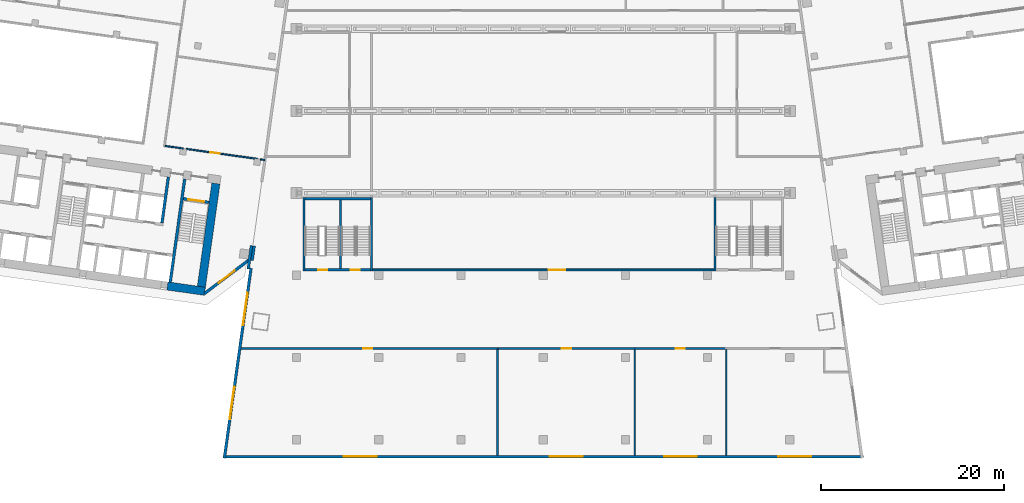
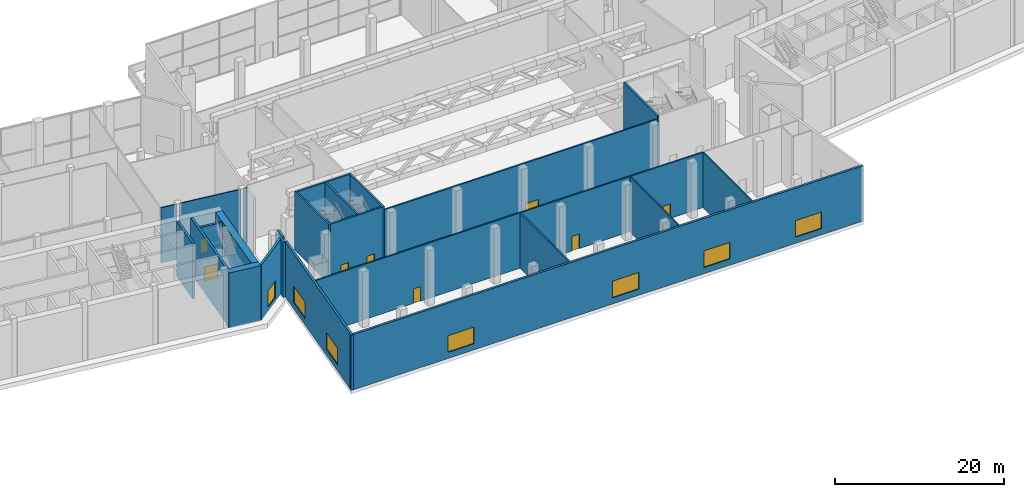
# One storey, part 20 of 31: 25 walls, 8 doors, 7 windows, 15 openings.
"""IFC4 building model written with IfcOpenShell, lengths in metres."""

from ifc_helpers import new_model, si_unit, direction, frame, frame_2d, origin, place, context, subcontext, project, spatial, rectangle, extrude, material, layer, layer_set, type_object, element, fill, save


model = new_model("IFC4")

# Units and contexts
model_context = context("Model", 3, precision=1e-05, world=origin(), true_north=direction((0.0, 1.0)))
body_context = subcontext(model_context, "Body", "Model", "MODEL_VIEW")
ifc_project = project(units=[si_unit("LENGTHUNIT", "METRE"), si_unit("AREAUNIT", "SQUARE_METRE"), si_unit("VOLUMEUNIT", "CUBIC_METRE"), si_unit("PLANEANGLEUNIT", "RADIAN"), si_unit("MASSUNIT", "GRAM", prefix="KILO")], contexts=[model_context])

# Site, building, storey
site_placement = place(None, origin())
site = spatial("IfcSite", under=ifc_project, at=site_placement, CompositionType="ELEMENT")
building_placement = place(site_placement, origin())
building = spatial("IfcBuilding", under=site, at=building_placement, Name="Mirante Cascada Hotel Towers", CompositionType="ELEMENT")
storey_placement = place(building_placement, frame((0.0, 0.0, 9.0)))
storey = spatial("IfcBuildingStorey", under=building, at=storey_placement, Name="L01", CompositionType="ELEMENT", Elevation=9.0)

# Wall
ifc_material_1 = material(Name="Masonry block", Category="masonry")
ifc_layer_1 = layer(ifc_material_1, 0.15)
ifc_layer_set_1 = layer_set([ifc_layer_1], Name="Corridor wall 150 block")
wall_type_1 = type_object("IfcWallType", Name="Corridor wall 150 block", PredefinedType="PARTITIONING", material=ifc_layer_set_1)
wall_1_placement = place(storey_placement, frame((-41.4008, -3.8311, 0.0), z_axis=(0.0, 0.0, 1.0), x_axis=(0.9902711, -0.1391512, 0.0)))
element("IfcWall", 1, at=wall_1_placement, inside=storey, type_object=wall_type_1, Name="Corridor wall T1 L01", PredefinedType="PARTITIONING", context=body_context, shape_type="SweptSolid", body=[
    extrude(rectangle(XDim=2.0108, YDim=0.15, at=frame_2d((1.0054, 0.0))), origin(), (0.0, 0.0, 1.0), 8.0),
])

# Wall, opening, door
wall_2_placement = place(storey_placement, frame((-39.0843, -4.1567, 0.0), z_axis=(0.0, 0.0, 1.0), x_axis=(0.9902676, -0.1391764, 0.0)))
wall_2 = element("IfcWall", 2, at=wall_2_placement, inside=storey, type_object=wall_type_1, Name="Corridor wall T1 L01", PredefinedType="PARTITIONING", context=body_context, shape_type="SweptSolid", body=[
    extrude(rectangle(XDim=7.8713, YDim=0.15, at=frame_2d((3.9356, 0.0))), origin(), (0.0, 0.0, 1.0), 8.0),
])
opening_1_placement = place(wall_2_placement, frame((2.6782, 0.0, 0.0)))
opening_1 = element("IfcOpeningElement", 3, at=opening_1_placement, cuts=wall_2, Name="Opening DP1-L01-01", PredefinedType="OPENING", context=body_context, shape_type="SweptSolid", body=[
    extrude(rectangle(XDim=1.0, YDim=2.1, at=frame_2d((0.5, 1.05))), frame((0.0, 0.075, 0.0), z_axis=(0.0, -1.0, 0.0), x_axis=(1.0, 0.0, 0.0)), (0.0, 0.0, 1.0), 0.15),
])
ifc_material_2 = material(Name="Timber door leaf", Category="wood")
door_type_1 = type_object("IfcDoorType", Name="Single door 1000x2100", OperationType="NOTDEFINED", PredefinedType="DOOR", material=ifc_material_2)
door_1_placement = place(opening_1_placement, frame((1.0, 0.0, 0.0), z_axis=(0.0, 0.0, 1.0), x_axis=(-1.0, 0.0, 0.0)))
door_1 = element("IfcDoor", 4, at=door_1_placement, inside=storey, type_object=door_type_1, Name="Door DP1-L01-01", OperationType="SINGLE_SWING_LEFT", OverallHeight=2.1, OverallWidth=1.0, PredefinedType="DOOR", context=body_context, shape_type="SweptSolid", body=[
    extrude(rectangle(XDim=1.0, YDim=2.1, at=frame_2d((0.5, 1.05))), frame((0.0, 0.025, 0.0), z_axis=(0.0, -1.0, 0.0), x_axis=(1.0, 0.0, 0.0)), (0.0, 0.0, 1.0), 0.05),
])
fill(opening_1, door_1)

# Wall
wall_3_placement = place(storey_placement, frame((-30.9641, -5.2979, 0.0), z_axis=(0.0, 0.0, 1.0), x_axis=(0.9902657, -0.1391899, 0.0)))
element("IfcWall", 5, at=wall_3_placement, inside=storey, type_object=wall_type_1, Name="Corridor wall T1 L01", PredefinedType="PARTITIONING", context=body_context, shape_type="SweptSolid", body=[
    extrude(rectangle(XDim=0.4957, YDim=0.15, at=frame_2d((0.2478, 0.0))), origin(), (0.0, 0.0, 1.0), 8.0),
])

# Wall, openings, doors
ifc_material_3 = material(Name="Masonry block", Category="masonry")
ifc_layer_2 = layer(ifc_material_3, 0.2)
ifc_layer_set_2 = layer_set([ifc_layer_2], Name="Hall wall 200 block")
wall_type_2 = type_object("IfcWallType", Name="Hall wall 200 block", PredefinedType="PARTITIONING", material=ifc_layer_set_2)
wall_4_placement = place(storey_placement, frame((-4.9185, -26.0, 0.0), z_axis=(0.0, 0.0, 1.0), x_axis=(1.0, 0.0, 0.0)))
wall_4 = element("IfcWall", 6, at=wall_4_placement, inside=storey, type_object=wall_type_2, Name="Hall wall P L01", PredefinedType="PARTITIONING", context=body_context, shape_type="SweptSolid", body=[
    extrude(rectangle(XDim=24.8875, YDim=0.2, at=frame_2d((12.4438, 0.0))), origin(), (0.0, 0.0, 1.0), 8.0),
])
opening_2_placement = place(wall_4_placement, frame((6.9677, 0.0, 0.0)))
opening_2 = element("IfcOpeningElement", 7, at=opening_2_placement, cuts=wall_4, Name="Opening DP-L01-10", PredefinedType="OPENING", context=body_context, shape_type="SweptSolid", body=[
    extrude(rectangle(XDim=1.0, YDim=2.1, at=frame_2d((0.5, 1.05))), frame((0.0, 0.1, 0.0), z_axis=(0.0, -1.0, 0.0), x_axis=(1.0, 0.0, 0.0)), (0.0, 0.0, 1.0), 0.2),
])
opening_3_placement = place(wall_4_placement, frame((19.4115, 0.0, 0.0)))
opening_3 = element("IfcOpeningElement", 8, at=opening_3_placement, cuts=wall_4, Name="Opening DP-L01-11", PredefinedType="OPENING", context=body_context, shape_type="SweptSolid", body=[
    extrude(rectangle(XDim=1.0, YDim=2.1, at=frame_2d((0.5, 1.05))), frame((0.0, 0.1, 0.0), z_axis=(0.0, -1.0, 0.0), x_axis=(1.0, 0.0, 0.0)), (0.0, 0.0, 1.0), 0.2),
])
door_2_placement = place(opening_2_placement, frame((1.0, 0.0, 0.0), z_axis=(0.0, 0.0, 1.0), x_axis=(-1.0, 0.0, 0.0)))
door_2 = element("IfcDoor", 9, at=door_2_placement, inside=storey, type_object=door_type_1, Name="Door DP-L01-10", OperationType="SINGLE_SWING_RIGHT", OverallHeight=2.1, OverallWidth=1.0, PredefinedType="DOOR", context=body_context, shape_type="SweptSolid", body=[
    extrude(rectangle(XDim=1.0, YDim=2.1, at=frame_2d((0.5, 1.05))), frame((0.0, 0.025, 0.0), z_axis=(0.0, -1.0, 0.0), x_axis=(1.0, 0.0, 0.0)), (0.0, 0.0, 1.0), 0.05),
])
fill(opening_2, door_2)
door_3_placement = place(opening_3_placement, frame((1.0, 0.0, 0.0), z_axis=(0.0, 0.0, 1.0), x_axis=(-1.0, 0.0, 0.0)))
door_3 = element("IfcDoor", 10, at=door_3_placement, inside=storey, type_object=door_type_1, Name="Door DP-L01-11", OperationType="SINGLE_SWING_LEFT", OverallHeight=2.1, OverallWidth=1.0, PredefinedType="DOOR", context=body_context, shape_type="SweptSolid", body=[
    extrude(rectangle(XDim=1.0, YDim=2.1, at=frame_2d((0.5, 1.05))), frame((0.0, 0.025, 0.0), z_axis=(0.0, -1.0, 0.0), x_axis=(1.0, 0.0, 0.0)), (0.0, 0.0, 1.0), 0.05),
])
fill(opening_3, door_3)

# Wall, opening, door
wall_5_placement = place(storey_placement, frame((-18.685, -17.4, 0.0), z_axis=(0.0, 0.0, 1.0), x_axis=(1.0, 0.0, 0.0)))
wall_5 = element("IfcWall", 11, at=wall_5_placement, inside=storey, type_object=wall_type_2, Name="Hall wall P L01", PredefinedType="PARTITIONING", context=body_context, shape_type="SweptSolid", body=[
    extrude(rectangle(XDim=37.37, YDim=0.2, at=frame_2d((18.685, 0.0))), origin(), (0.0, 0.0, 1.0), 8.0),
])
opening_4_placement = place(wall_5_placement, frame((19.285, 0.0, 0.0)))
opening_4 = element("IfcOpeningElement", 12, at=opening_4_placement, cuts=wall_5, Name="Opening DP-L01-05", PredefinedType="OPENING", context=body_context, shape_type="SweptSolid", body=[
    extrude(rectangle(XDim=1.8, YDim=2.1, at=frame_2d((0.9, 1.05))), frame((0.0, 0.1, 0.0), z_axis=(0.0, -1.0, 0.0), x_axis=(1.0, 0.0, 0.0)), (0.0, 0.0, 1.0), 0.2),
])
ifc_material_4 = material(Name="Timber door leaf", Category="wood")
door_type_2 = type_object("IfcDoorType", Name="Double door 1800x2100", OperationType="DOUBLE_DOOR_SINGLE_SWING", PredefinedType="DOOR", material=ifc_material_4)
door_4_placement = place(opening_4_placement, origin())
door_4 = element("IfcDoor", 13, at=door_4_placement, inside=storey, type_object=door_type_2, Name="Door DP-L01-05", OperationType="DOUBLE_DOOR_SINGLE_SWING", OverallHeight=2.1, OverallWidth=1.8, PredefinedType="DOOR", context=body_context, shape_type="SweptSolid", body=[
    extrude(rectangle(XDim=0.895, YDim=2.1, at=frame_2d((0.4475, 1.05))), frame((0.0, 0.025, 0.0), z_axis=(0.0, -1.0, 0.0), x_axis=(1.0, 0.0, 0.0)), (0.0, 0.0, 1.0), 0.05),
    extrude(rectangle(XDim=0.895, YDim=2.1, at=frame_2d((1.3525, 1.05))), frame((0.0, 0.025, 0.0), z_axis=(0.0, -1.0, 0.0), x_axis=(1.0, 0.0, 0.0)), (0.0, 0.0, 1.0), 0.05),
])
fill(opening_4, door_4)

ifc_material_5 = material(Name="Masonry block", Category="masonry")
ifc_layer_3 = layer(ifc_material_5, 0.2)
ifc_layer_set_3 = layer_set([ifc_layer_3], Name="Kitchen wall 200 block EI 120")
wall_type_3 = type_object("IfcWallType", Name="Kitchen wall 200 block EI 120", PredefinedType="PARTITIONING", material=ifc_layer_set_3)
wall_6_placement = place(storey_placement, frame((-33.0701, -26.0, 0.0), z_axis=(0.0, 0.0, 1.0), x_axis=(1.0, 0.0, 0.0)))
wall_6 = element("IfcWall", 14, at=wall_6_placement, inside=storey, type_object=wall_type_3, Name="Kitchen wall P L01", PredefinedType="PARTITIONING", context=body_context, shape_type="SweptSolid", body=[
    extrude(rectangle(XDim=28.1716, YDim=0.2, at=frame_2d((14.0858, 0.0))), origin(), (0.0, 0.0, 1.0), 8.0),
])
opening_5_placement = place(wall_6_placement, frame((13.3793, 0.0, 0.0)))
opening_5 = element("IfcOpeningElement", 15, at=opening_5_placement, cuts=wall_6, Name="Opening DP-L01-09", PredefinedType="OPENING", context=body_context, shape_type="SweptSolid", body=[
    extrude(rectangle(XDim=1.0, YDim=2.1, at=frame_2d((0.5, 1.05))), frame((0.0, 0.1, 0.0), z_axis=(0.0, -1.0, 0.0), x_axis=(1.0, 0.0, 0.0)), (0.0, 0.0, 1.0), 0.2),
])
ifc_material_6 = material(Name="Hollow metal fire door leaf")
door_type_3 = type_object("IfcDoorType", Name="Fire door 1000x2100 FD60", OperationType="NOTDEFINED", PredefinedType="DOOR", material=ifc_material_6)
door_5_placement = place(opening_5_placement, frame((1.0, 0.0, 0.0), z_axis=(0.0, 0.0, 1.0), x_axis=(-1.0, 0.0, 0.0)))
door_5 = element("IfcDoor", 16, at=door_5_placement, inside=storey, type_object=door_type_3, Name="Door DP-L01-09", OperationType="SINGLE_SWING_LEFT", OverallHeight=2.1, OverallWidth=1.0, PredefinedType="DOOR", context=body_context, shape_type="SweptSolid", body=[
    extrude(rectangle(XDim=1.0, YDim=2.1, at=frame_2d((0.5, 1.05))), frame((0.0, 0.025, 0.0), z_axis=(0.0, -1.0, 0.0), x_axis=(1.0, 0.0, 0.0)), (0.0, 0.0, 1.0), 0.05),
])
fill(opening_5, door_5)

# Walls
wall_7_placement = place(storey_placement, frame((-5.0085, -37.7, 0.0), z_axis=(0.0, 0.0, 1.0), x_axis=(0.0, 1.0, 0.0)))
element("IfcWall", 17, at=wall_7_placement, inside=storey, type_object=wall_type_3, Name="Kitchen wall P L01", PredefinedType="PARTITIONING", context=body_context, shape_type="SweptSolid", body=[
    extrude(rectangle(XDim=11.6, YDim=0.2, at=frame_2d((5.8, 0.0))), origin(), (0.0, 0.0, 1.0), 8.0),
])
ifc_material_7 = material(Name="Masonry block", Category="masonry")
ifc_layer_4 = layer(ifc_material_7, 0.15)
ifc_layer_set_4 = layer_set([ifc_layer_4], Name="Partition 150 block")
wall_type_4 = type_object("IfcWallType", Name="Partition 150 block", PredefinedType="PARTITIONING", material=ifc_layer_set_4)
wall_8_placement = place(storey_placement, frame((10.017, -37.7, 0.0), z_axis=(0.0, 0.0, 1.0), x_axis=(0.0, 1.0, 0.0)))
element("IfcWall", 18, at=wall_8_placement, inside=storey, type_object=wall_type_4, Name="Partition P L01", PredefinedType="PARTITIONING", context=body_context, shape_type="SweptSolid", body=[
    extrude(rectangle(XDim=11.6, YDim=0.15, at=frame_2d((5.8, 0.0))), origin(), (0.0, 0.0, 1.0), 8.0),
])

# Wall, opening, window
ifc_material_8 = material(Name="Precast concrete C40/50", Category="concrete")
ifc_layer_5 = layer(ifc_material_8, 0.3)
ifc_layer_set_5 = layer_set([ifc_layer_5], Name="Precast concrete C40/50 cladding wall 300")
wall_type_5 = type_object("IfcWallType", Name="Precast concrete C40/50 cladding wall 300", PredefinedType="STANDARD", material=ifc_layer_set_5)
wall_9_placement = place(storey_placement, frame((-32.2074, -16.3138, 0.0), z_axis=(0.0, 0.0, 1.0), x_axis=(-0.7986362, -0.6018141, 0.0)))
wall_9 = element("IfcWall", 19, at=wall_9_placement, inside=storey, type_object=wall_type_5, Name="Corner cladding wall T1 L01 inner rear", PredefinedType="STANDARD", context=body_context, shape_type="SweptSolid", body=[
    extrude(rectangle(XDim=6.1157, YDim=0.3, at=frame_2d((3.0578, 0.0))), origin(), (0.0, 0.0, 1.0), 8.0),
])
opening_6_placement = place(wall_9_placement, frame((1.9578, 0.0, 0.6)))
opening_6 = element("IfcOpeningElement", 20, at=opening_6_placement, cuts=wall_9, Name="Opening W1-01-05", PredefinedType="OPENING", context=body_context, shape_type="SweptSolid", body=[
    extrude(rectangle(XDim=2.2, YDim=2.4, at=frame_2d((1.1, 1.2))), frame((0.0, 0.15, 0.0), z_axis=(0.0, -1.0, 0.0), x_axis=(1.0, 0.0, 0.0)), (0.0, 0.0, 1.0), 0.3),
])
ifc_material_9 = material(Name="Aluminium frame with clear double glazing", Category="aluminium")
window_type_1 = type_object("IfcWindowType", Name="Corner suite window 2200x2400", PartitioningType="DOUBLE_PANEL_VERTICAL", PredefinedType="WINDOW", material=ifc_material_9)
window_1_placement = place(opening_6_placement, origin())
window_1 = element("IfcWindow", 21, at=window_1_placement, inside=storey, type_object=window_type_1, Name="Window W1-01-05", OverallHeight=2.4, OverallWidth=2.2, PartitioningType="SINGLE_PANEL", PredefinedType="WINDOW", context=body_context, shape_type="SweptSolid", body=[
    extrude(rectangle(XDim=2.2, YDim=2.4, at=frame_2d((1.1, 1.2))), frame((0.0, 0.03, 0.0), z_axis=(0.0, -1.0, 0.0), x_axis=(1.0, 0.0, 0.0)), (0.0, 0.0, 1.0), 0.06),
])
fill(opening_6, window_1)

# Wall, openings, windows
wall_10_placement = place(storey_placement, frame((-35.0595, -37.85, 0.0), z_axis=(0.0, 0.0, 1.0), x_axis=(1.0, 0.0, 0.0)))
wall_10 = element("IfcWall", 22, at=wall_10_placement, inside=storey, type_object=wall_type_5, Name="Podium cladding wall L01 P:L01:1", PredefinedType="STANDARD", context=body_context, shape_type="SweptSolid", body=[
    extrude(rectangle(XDim=70.119, YDim=0.3, at=frame_2d((35.0595, 0.0))), origin(), (0.0, 0.0, 1.0), 8.0),
])
opening_7_placement = place(wall_10_placement, frame((13.2255, 0.0, 0.9)))
opening_7 = element("IfcOpeningElement", 23, at=opening_7_placement, cuts=wall_10, Name="Opening WP-01-01", PredefinedType="OPENING", context=body_context, shape_type="SweptSolid", body=[
    extrude(rectangle(XDim=3.6, YDim=2.4, at=frame_2d((1.8, 1.2))), frame((0.0, 0.15, 0.0), z_axis=(0.0, -1.0, 0.0), x_axis=(1.0, 0.0, 0.0)), (0.0, 0.0, 1.0), 0.3),
])
opening_8_placement = place(wall_10_placement, frame((35.7637, 0.0, 0.9)))
opening_8 = element("IfcOpeningElement", 24, at=opening_8_placement, cuts=wall_10, Name="Opening WP-01-02", PredefinedType="OPENING", context=body_context, shape_type="SweptSolid", body=[
    extrude(rectangle(XDim=3.6, YDim=2.4, at=frame_2d((1.8, 1.2))), frame((0.0, 0.15, 0.0), z_axis=(0.0, -1.0, 0.0), x_axis=(1.0, 0.0, 0.0)), (0.0, 0.0, 1.0), 0.3),
])
opening_9_placement = place(wall_10_placement, frame((48.285, 0.0, 0.9)))
opening_9 = element("IfcOpeningElement", 25, at=opening_9_placement, cuts=wall_10, Name="Opening WP-01-03", PredefinedType="OPENING", context=body_context, shape_type="SweptSolid", body=[
    extrude(rectangle(XDim=3.6, YDim=2.4, at=frame_2d((1.8, 1.2))), frame((0.0, 0.15, 0.0), z_axis=(0.0, -1.0, 0.0), x_axis=(1.0, 0.0, 0.0)), (0.0, 0.0, 1.0), 0.3),
])
opening_10_placement = place(wall_10_placement, frame((60.8062, 0.0, 0.9)))
opening_10 = element("IfcOpeningElement", 26, at=opening_10_placement, cuts=wall_10, Name="Opening WP-01-04", PredefinedType="OPENING", context=body_context, shape_type="SweptSolid", body=[
    extrude(rectangle(XDim=3.6, YDim=2.4, at=frame_2d((1.8, 1.2))), frame((0.0, 0.15, 0.0), z_axis=(0.0, -1.0, 0.0), x_axis=(1.0, 0.0, 0.0)), (0.0, 0.0, 1.0), 0.3),
])
ifc_material_10 = material(Name="Aluminium frame with clear double glazing", Category="aluminium")
window_type_2 = type_object("IfcWindowType", Name="Podium punched window 3600x2400", PartitioningType="DOUBLE_PANEL_VERTICAL", PredefinedType="WINDOW", material=ifc_material_10)
window_2_placement = place(opening_7_placement, origin())
window_2 = element("IfcWindow", 27, at=window_2_placement, inside=storey, type_object=window_type_2, Name="Window WP-01-01", OverallHeight=2.4, OverallWidth=3.6, PartitioningType="SINGLE_PANEL", PredefinedType="WINDOW", context=body_context, shape_type="SweptSolid", body=[
    extrude(rectangle(XDim=3.6, YDim=2.4, at=frame_2d((1.8, 1.2))), frame((0.0, 0.03, 0.0), z_axis=(0.0, -1.0, 0.0), x_axis=(1.0, 0.0, 0.0)), (0.0, 0.0, 1.0), 0.06),
])
fill(opening_7, window_2)
window_3_placement = place(opening_8_placement, origin())
window_3 = element("IfcWindow", 28, at=window_3_placement, inside=storey, type_object=window_type_2, Name="Window WP-01-02", OverallHeight=2.4, OverallWidth=3.6, PartitioningType="SINGLE_PANEL", PredefinedType="WINDOW", context=body_context, shape_type="SweptSolid", body=[
    extrude(rectangle(XDim=3.6, YDim=2.4, at=frame_2d((1.8, 1.2))), frame((0.0, 0.03, 0.0), z_axis=(0.0, -1.0, 0.0), x_axis=(1.0, 0.0, 0.0)), (0.0, 0.0, 1.0), 0.06),
])
fill(opening_8, window_3)
window_4_placement = place(opening_9_placement, origin())
window_4 = element("IfcWindow", 29, at=window_4_placement, inside=storey, type_object=window_type_2, Name="Window WP-01-03", OverallHeight=2.4, OverallWidth=3.6, PartitioningType="SINGLE_PANEL", PredefinedType="WINDOW", context=body_context, shape_type="SweptSolid", body=[
    extrude(rectangle(XDim=3.6, YDim=2.4, at=frame_2d((1.8, 1.2))), frame((0.0, 0.03, 0.0), z_axis=(0.0, -1.0, 0.0), x_axis=(1.0, 0.0, 0.0)), (0.0, 0.0, 1.0), 0.06),
])
fill(opening_9, window_4)
window_5_placement = place(opening_10_placement, origin())
window_5 = element("IfcWindow", 30, at=window_5_placement, inside=storey, type_object=window_type_2, Name="Window WP-01-04", OverallHeight=2.4, OverallWidth=3.6, PartitioningType="SINGLE_PANEL", PredefinedType="WINDOW", context=body_context, shape_type="SweptSolid", body=[
    extrude(rectangle(XDim=3.6, YDim=2.4, at=frame_2d((1.8, 1.2))), frame((0.0, 0.03, 0.0), z_axis=(0.0, -1.0, 0.0), x_axis=(1.0, 0.0, 0.0)), (0.0, 0.0, 1.0), 0.06),
])
fill(opening_10, window_5)

wall_11_placement = place(storey_placement, frame((-31.9876, -17.2201, 0.0), z_axis=(0.0, 0.0, 1.0), x_axis=(-0.1391749, -0.9902678, 0.0)))
wall_11 = element("IfcWall", 31, at=wall_11_placement, inside=storey, type_object=wall_type_5, Name="Podium cladding wall L01 P:L01:6", PredefinedType="STANDARD", context=body_context, shape_type="SweptSolid", body=[
    extrude(rectangle(XDim=21.0052, YDim=0.3, at=frame_2d((10.5026, 0.0))), origin(), (0.0, 0.0, 1.0), 8.0),
])
opening_11_placement = place(wall_11_placement, frame((2.6994, 0.0, 0.9)))
opening_11 = element("IfcOpeningElement", 32, at=opening_11_placement, cuts=wall_11, Name="Opening WP-01-09", PredefinedType="OPENING", context=body_context, shape_type="SweptSolid", body=[
    extrude(rectangle(XDim=3.6, YDim=2.4, at=frame_2d((1.8, 1.2))), frame((0.0, 0.15, 0.0), z_axis=(0.0, -1.0, 0.0), x_axis=(1.0, 0.0, 0.0)), (0.0, 0.0, 1.0), 0.3),
])
opening_12_placement = place(wall_11_placement, frame((13.1006, 0.0, 0.9)))
opening_12 = element("IfcOpeningElement", 33, at=opening_12_placement, cuts=wall_11, Name="Opening WP-01-10", PredefinedType="OPENING", context=body_context, shape_type="SweptSolid", body=[
    extrude(rectangle(XDim=3.6, YDim=2.4, at=frame_2d((1.8, 1.2))), frame((0.0, 0.15, 0.0), z_axis=(0.0, -1.0, 0.0), x_axis=(1.0, 0.0, 0.0)), (0.0, 0.0, 1.0), 0.3),
])
window_6_placement = place(opening_11_placement, origin())
window_6 = element("IfcWindow", 34, at=window_6_placement, inside=storey, type_object=window_type_2, Name="Window WP-01-09", OverallHeight=2.4, OverallWidth=3.6, PartitioningType="SINGLE_PANEL", PredefinedType="WINDOW", context=body_context, shape_type="SweptSolid", body=[
    extrude(rectangle(XDim=3.6, YDim=2.4, at=frame_2d((1.8, 1.2))), frame((0.0, 0.03, 0.0), z_axis=(0.0, -1.0, 0.0), x_axis=(1.0, 0.0, 0.0)), (0.0, 0.0, 1.0), 0.06),
])
fill(opening_11, window_6)
window_7_placement = place(opening_12_placement, origin())
window_7 = element("IfcWindow", 35, at=window_7_placement, inside=storey, type_object=window_type_2, Name="Window WP-01-10", OverallHeight=2.4, OverallWidth=3.6, PartitioningType="SINGLE_PANEL", PredefinedType="WINDOW", context=body_context, shape_type="SweptSolid", body=[
    extrude(rectangle(XDim=3.6, YDim=2.4, at=frame_2d((1.8, 1.2))), frame((0.0, 0.03, 0.0), z_axis=(0.0, -1.0, 0.0), x_axis=(1.0, 0.0, 0.0)), (0.0, 0.0, 1.0), 0.06),
])
fill(opening_12, window_7)

# Walls
wall_12_placement = place(storey_placement, frame((-32.3027, -17.3071, 0.0), z_axis=(0.0, 0.0, 1.0), x_axis=(0.1391652, 0.9902692, 0.0)))
element("IfcWall", 36, at=wall_12_placement, inside=storey, type_object=wall_type_5, Name="Corner closure wall L01 1.1", PredefinedType="STANDARD", context=body_context, shape_type="SweptSolid", body=[
    extrude(rectangle(XDim=2.5818, YDim=0.3, at=frame_2d((1.2909, 0.0))), origin(), (0.0, 0.0, 1.0), 8.0),
])
wall_13_placement = place(storey_placement, frame((-31.6463, -14.7921, 0.0), z_axis=(0.0, 0.0, 1.0), x_axis=(-0.1392118, -0.9902626, 0.0)))
element("IfcWall", 37, at=wall_13_placement, inside=storey, type_object=wall_type_5, Name="Corner closure wall L01 3.1", PredefinedType="STANDARD", context=body_context, shape_type="SweptSolid", body=[
    extrude(rectangle(XDim=1.6033, YDim=0.3, at=frame_2d((0.8016, 0.0))), origin(), (0.0, 0.0, 1.0), 8.0),
])
ifc_material_11 = material(Name="Concrete C50/60", Category="concrete")
ifc_layer_6 = layer(ifc_material_11, 0.3)
ifc_layer_set_6 = layer_set([ifc_layer_6], Name="RC core wall 300 C50/60")
wall_type_6 = type_object("IfcWallType", Name="RC core wall 300 C50/60", PredefinedType="SHEAR", material=ifc_layer_set_6)
wall_14_placement = place(storey_placement, frame((-40.8373, -18.7548, 0.0), z_axis=(0.0, 0.0, 1.0), x_axis=(0.1391749, 0.9902678, 0.0)))
element("IfcWall", 38, at=wall_14_placement, inside=storey, type_object=wall_type_6, Name="Core wall T1:L01:5", PredefinedType="SHEAR", context=body_context, shape_type="SweptSolid", body=[
    extrude(rectangle(XDim=11.4, YDim=0.3, at=frame_2d((5.7, 0.0))), origin(), (0.0, 0.0, 1.0), 8.0),
])

# Wall, opening, door
wall_15_placement = place(storey_placement, frame((-36.5791, -10.0123, 0.0), z_axis=(0.0, 0.0, 1.0), x_axis=(-0.9902704, 0.1391564, 0.0)))
wall_15 = element("IfcWall", 39, at=wall_15_placement, inside=storey, type_object=wall_type_6, Name="Core wall T1:L01:9", PredefinedType="SHEAR", context=body_context, shape_type="SweptSolid", body=[
    extrude(rectangle(XDim=2.85, YDim=0.3, at=frame_2d((1.425, 0.0))), origin(), (0.0, 0.0, 1.0), 8.0),
])
opening_13_placement = place(wall_15_placement, frame((0.525, 0.0, 0.0)))
opening_13 = element("IfcOpeningElement", 40, at=opening_13_placement, cuts=wall_15, Name="Opening D1-01-C16", PredefinedType="OPENING", context=body_context, shape_type="SweptSolid", body=[
    extrude(rectangle(XDim=1.8, YDim=2.1, at=frame_2d((0.9, 1.05))), frame((0.0, 0.15, 0.0), z_axis=(0.0, -1.0, 0.0), x_axis=(1.0, 0.0, 0.0)), (0.0, 0.0, 1.0), 0.3),
])
ifc_material_12 = material(Name="Hollow metal fire door leaf")
door_type_4 = type_object("IfcDoorType", Name="Double fire door 1800x2100 FD60", OperationType="DOUBLE_DOOR_SINGLE_SWING", PredefinedType="DOOR", material=ifc_material_12)
door_6_placement = place(opening_13_placement, origin())
door_6 = element("IfcDoor", 41, at=door_6_placement, inside=storey, type_object=door_type_4, Name="Stair door T1 L01 16", OperationType="DOUBLE_DOOR_SINGLE_SWING", OverallHeight=2.1, OverallWidth=1.8, PredefinedType="DOOR", context=body_context, shape_type="SweptSolid", body=[
    extrude(rectangle(XDim=0.895, YDim=2.1, at=frame_2d((0.4475, 1.05))), frame((0.0, 0.025, 0.0), z_axis=(0.0, -1.0, 0.0), x_axis=(1.0, 0.0, 0.0)), (0.0, 0.0, 1.0), 0.05),
    extrude(rectangle(XDim=0.895, YDim=2.1, at=frame_2d((1.3525, 1.05))), frame((0.0, 0.025, 0.0), z_axis=(0.0, -1.0, 0.0), x_axis=(1.0, 0.0, 0.0)), (0.0, 0.0, 1.0), 0.05),
])
fill(opening_13, door_6)

# Walls
wall_16_placement = place(storey_placement, frame((-41.743, -12.2656, 0.0), z_axis=(0.0, 0.0, 1.0), x_axis=(0.1391755, 0.9902677, 0.0)))
element("IfcWall", 42, at=wall_16_placement, inside=storey, type_object=wall_type_6, Name="Core wall T1:L01:20", PredefinedType="SHEAR", context=body_context, shape_type="SweptSolid", body=[
    extrude(rectangle(XDim=5.1, YDim=0.3, at=frame_2d((2.55, 0.0))), origin(), (0.0, 0.0, 1.0), 8.0),
])
ifc_material_13 = material(Name="Concrete C50/60", Category="concrete")
ifc_layer_7 = layer(ifc_material_13, 0.9)
ifc_layer_set_7 = layer_set([ifc_layer_7], Name="RC core wall 900 C50/60")
wall_type_7 = type_object("IfcWallType", Name="RC core wall 900 C50/60", PredefinedType="SHEAR", material=ifc_layer_set_7)
wall_17_placement = place(storey_placement, frame((-37.0379, -19.7432, 0.0), z_axis=(0.0, 0.0, 1.0), x_axis=(-0.990267, 0.139181, 0.0)))
element("IfcWall", 43, at=wall_17_placement, inside=storey, type_object=wall_type_7, Name="Core wall T1:L01:1.1", PredefinedType="SHEAR", context=body_context, shape_type="SweptSolid", body=[
    extrude(rectangle(XDim=4.15, YDim=0.9, at=frame_2d((2.075, 0.0))), origin(), (0.0, 0.0, 1.0), 8.0),
])
wall_18_placement = place(storey_placement, frame((-37.4209, -19.2349, 0.0), z_axis=(0.0, 0.0, 1.0), x_axis=(0.1391761, 0.9902677, 0.0)))
element("IfcWall", 44, at=wall_18_placement, inside=storey, type_object=wall_type_7, Name="Core wall T1:L01:3", PredefinedType="SHEAR", context=body_context, shape_type="SweptSolid", body=[
    extrude(rectangle(XDim=11.3999, YDim=0.9, at=frame_2d((5.7, 0.0))), origin(), (0.0, 0.0, 1.0), 8.0),
])

# Wall, openings, doors
ifc_material_14 = material(Name="Concrete C35/45", Category="concrete")
ifc_layer_8 = layer(ifc_material_14, 0.25)
ifc_layer_set_8 = layer_set([ifc_layer_8], Name="Stair wall 250 concrete C35/45 EI 120")
wall_type_8 = type_object("IfcWallType", Name="Stair wall 250 concrete C35/45 EI 120", PredefinedType="STANDARD", material=ifc_layer_set_8)
wall_19_placement = place(storey_placement, frame((-26.085, -17.4, 0.0), z_axis=(0.0, 0.0, 1.0), x_axis=(1.0, 0.0, 0.0)))
wall_19 = element("IfcWall", 45, at=wall_19_placement, inside=storey, type_object=wall_type_8, Name="Stair wall P L01", PredefinedType="STANDARD", context=body_context, shape_type="SweptSolid", body=[
    extrude(rectangle(XDim=7.17, YDim=0.25, at=frame_2d((3.585, 0.0))), origin(), (0.0, 0.0, 1.0), 8.5),
])
opening_14_placement = place(wall_19_placement, frame((5.0275, 0.0, 0.0)))
opening_14 = element("IfcOpeningElement", 46, at=opening_14_placement, cuts=wall_19, Name="Opening DP-L01-01", PredefinedType="OPENING", context=body_context, shape_type="SweptSolid", body=[
    extrude(rectangle(XDim=1.0, YDim=2.1, at=frame_2d((0.5, 1.05))), frame((0.0, 0.125, 0.0), z_axis=(0.0, -1.0, 0.0), x_axis=(1.0, 0.0, 0.0)), (0.0, 0.0, 1.0), 0.25),
])
opening_15_placement = place(wall_19_placement, frame((1.4425, 0.0, 0.0)))
opening_15 = element("IfcOpeningElement", 47, at=opening_15_placement, cuts=wall_19, Name="Opening DP-L01-02", PredefinedType="OPENING", context=body_context, shape_type="SweptSolid", body=[
    extrude(rectangle(XDim=1.0, YDim=2.1, at=frame_2d((0.5, 1.05))), frame((0.0, 0.125, 0.0), z_axis=(0.0, -1.0, 0.0), x_axis=(1.0, 0.0, 0.0)), (0.0, 0.0, 1.0), 0.25),
])
door_7_placement = place(opening_14_placement, origin())
door_7 = element("IfcDoor", 48, at=door_7_placement, inside=storey, type_object=door_type_3, Name="Door DP-L01-01", OperationType="SINGLE_SWING_LEFT", OverallHeight=2.1, OverallWidth=1.0, PredefinedType="DOOR", context=body_context, shape_type="SweptSolid", body=[
    extrude(rectangle(XDim=1.0, YDim=2.1, at=frame_2d((0.5, 1.05))), frame((0.0, 0.025, 0.0), z_axis=(0.0, -1.0, 0.0), x_axis=(1.0, 0.0, 0.0)), (0.0, 0.0, 1.0), 0.05),
])
fill(opening_14, door_7)
door_8_placement = place(opening_15_placement, origin())
door_8 = element("IfcDoor", 49, at=door_8_placement, inside=storey, type_object=door_type_3, Name="Door DP-L01-02", OperationType="SINGLE_SWING_RIGHT", OverallHeight=2.1, OverallWidth=1.0, PredefinedType="DOOR", context=body_context, shape_type="SweptSolid", body=[
    extrude(rectangle(XDim=1.0, YDim=2.1, at=frame_2d((0.5, 1.05))), frame((0.0, 0.025, 0.0), z_axis=(0.0, -1.0, 0.0), x_axis=(1.0, 0.0, 0.0)), (0.0, 0.0, 1.0), 0.05),
])
fill(opening_15, door_8)

# Walls
wall_20_placement = place(storey_placement, frame((-26.075, -9.6, 0.0), z_axis=(0.0, 0.0, 1.0), x_axis=(1.0, 0.0, 0.0)))
element("IfcWall", 50, at=wall_20_placement, inside=storey, type_object=wall_type_8, Name="Stair wall P L01", PredefinedType="STANDARD", context=body_context, shape_type="SweptSolid", body=[
    extrude(rectangle(XDim=7.15, YDim=0.25, at=frame_2d((3.575, 0.0))), origin(), (0.0, 0.0, 1.0), 8.5),
])
for number, where, z_axis, x_axis, name in (
    (51, (18.8, -17.525, 0.0), (0.0, 0.0, 1.0), (0.0, 1.0, 0.0), "Stair wall P L01"),
    (52, (-18.8, -17.525, 0.0), (0.0, 0.0, 1.0), (0.0, 1.0, 0.0), "Stair wall P L01"),
):
    element("IfcWall", number, at=place(storey_placement, frame(where, z_axis=z_axis, x_axis=x_axis)), inside=storey, type_object=wall_type_8, Name=name, PredefinedType="STANDARD", context=body_context, shape_type="SweptSolid", body=[
        extrude(rectangle(XDim=8.05, YDim=0.25, at=frame_2d((4.025, 0.0))), origin(), (0.0, 0.0, 1.0), 8.5),
    ])
wall_21_placement = place(storey_placement, frame((-22.2, -17.275, 0.0), z_axis=(0.0, 0.0, 1.0), x_axis=(0.0, 1.0, 0.0)))
element("IfcWall", 53, at=wall_21_placement, inside=storey, type_object=wall_type_8, Name="Stair wall P L01", PredefinedType="STANDARD", context=body_context, shape_type="SweptSolid", body=[
    extrude(rectangle(XDim=7.55, YDim=0.25, at=frame_2d((3.775, 0.0))), origin(), (0.0, 0.0, 1.0), 8.5),
])
wall_22_placement = place(storey_placement, frame((-26.2, -17.525, 0.0), z_axis=(0.0, 0.0, 1.0), x_axis=(0.0, 1.0, 0.0)))
element("IfcWall", 54, at=wall_22_placement, inside=storey, type_object=wall_type_8, Name="Stair wall P L01", PredefinedType="STANDARD", context=body_context, shape_type="SweptSolid", body=[
    extrude(rectangle(XDim=8.05, YDim=0.25, at=frame_2d((4.025, 0.0))), origin(), (0.0, 0.0, 1.0), 8.5),
])
ifc_material_15 = material(Name="Masonry block", Category="masonry")
ifc_layer_9 = layer(ifc_material_15, 0.15)
ifc_layer_set_9 = layer_set([ifc_layer_9], Name="Wet room wall 150 block")
wall_type_9 = type_object("IfcWallType", Name="Wet room wall 150 block", PredefinedType="PARTITIONING", material=ifc_layer_set_9)
wall_23_placement = place(storey_placement, frame((20.034, -37.7, 0.0), z_axis=(0.0, 0.0, 1.0), x_axis=(0.0, 1.0, 0.0)))
element("IfcWall", 55, at=wall_23_placement, inside=storey, type_object=wall_type_9, Name="Wet room wall P L01", PredefinedType="PARTITIONING", context=body_context, shape_type="SweptSolid", body=[
    extrude(rectangle(XDim=11.625, YDim=0.15, at=frame_2d((5.8125, 0.0))), origin(), (0.0, 0.0, 1.0), 8.0),
])

save(model, "model.ifc")
